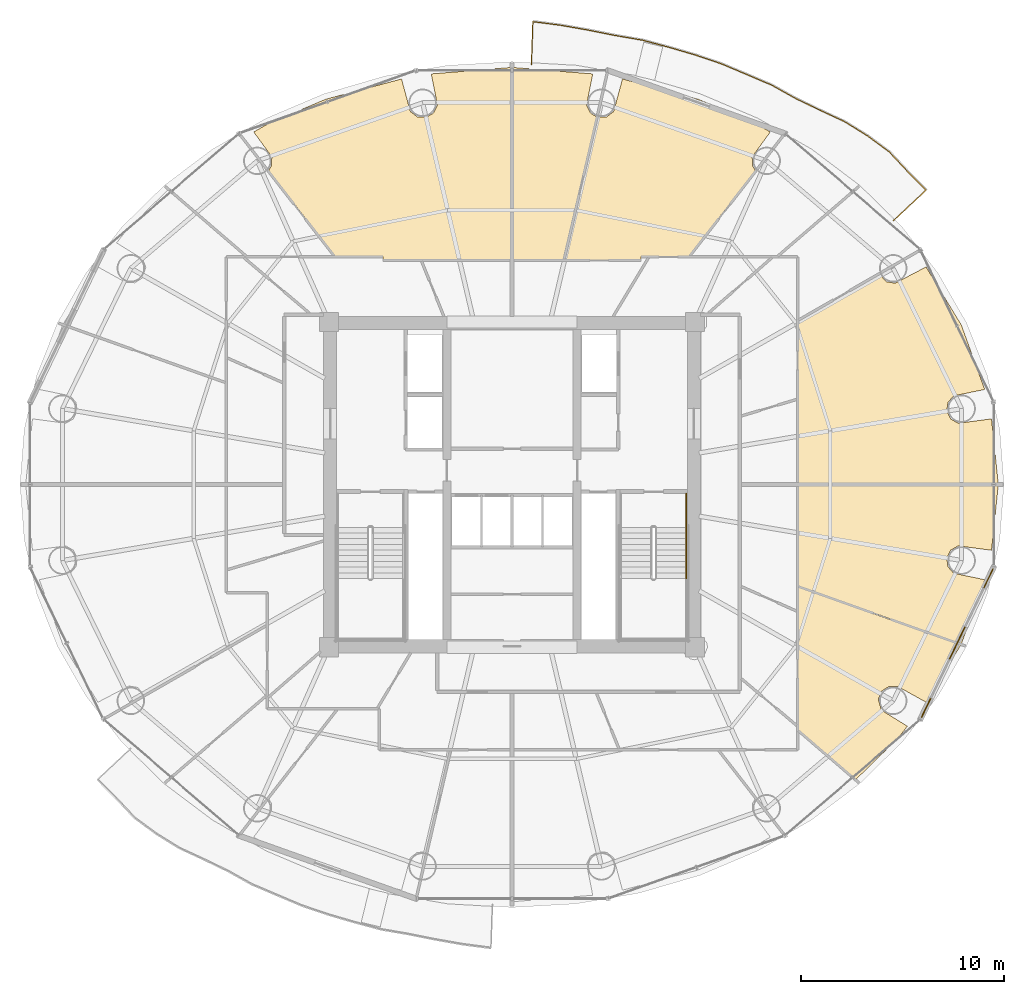
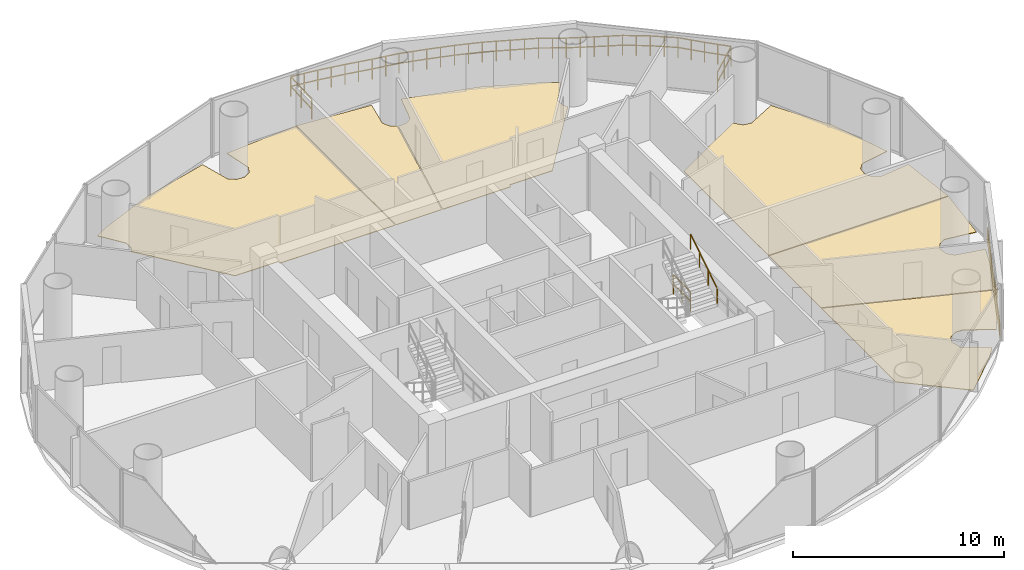
# One storey, part 27 of 27: 7 coverings, 3 railings.
"""IFC4 building model written with IfcOpenShell, lengths in metres."""

from ifc_helpers import new_model, si_unit, direction, frame, origin, origin_2d, place, context, subcontext, project, spatial, polyline, rectangle, outline, extrude, source, transform, mapped, material, layer, layer_set, type_object, element, save


model = new_model("IFC4")

# Units and contexts
model_context = context("Model", 3, precision=1e-05, world=origin(), true_north=direction((-0.2419218956, 0.970295726276)))
body_context = subcontext(model_context, "Body", "Model", "MODEL_VIEW")
ifc_project = project(units=[si_unit("LENGTHUNIT", "METRE"), si_unit("AREAUNIT", "SQUARE_METRE"), si_unit("VOLUMEUNIT", "CUBIC_METRE"), si_unit("PLANEANGLEUNIT", "RADIAN"), si_unit("MASSUNIT", "GRAM", prefix="KILO")], contexts=[model_context])

# Site, building, storey
site_placement = place(None, origin())
site = spatial("IfcSite", under=ifc_project, at=site_placement, CompositionType="ELEMENT")
building_placement = place(site_placement, origin())
building = spatial("IfcBuilding", under=site, at=building_placement, Name="Cobrevalo Terracotta Tower", CompositionType="ELEMENT")
storey_placement = place(building_placement, frame((0.0, 0.0, 157.0)))
storey = spatial("IfcBuildingStorey", under=building, at=storey_placement, Name="L41", CompositionType="ELEMENT", Elevation=157.0)

# Railing
ifc_material_1 = material(Name="Laminated structural glass and stainless steel", Category="steel")
railing_type_1 = type_object("IfcRailingType", Name="Balcony lobe structural glass & terracotta-cap balustrade 1180 mm", PredefinedType="BALUSTRADE", material=ifc_material_1)
railing_1_placement = place(storey_placement, frame((56.7548828125, 39.773681640625, 0.0)))
element("IfcRailing", 1, at=railing_1_placement, inside=storey, type_object=railing_type_1, Name="L41 spiralling balcony lobe balustrade 1", PredefinedType="BALUSTRADE", context=body_context, shape_type="SweptSolid", body=[
    extrude(rectangle(XDim=0.048095703125, YDim=0.048095703125, at=origin_2d()), frame((0.0, 0.0, 1.15576171875), z_axis=(0.730170166778, 0.683265341977, 0.0), x_axis=(-0.683265341977, 0.730170166778, 0.0)), (0.0, 0.0, 1.0), 2.212158203125),
    extrude(rectangle(XDim=0.048095703125, YDim=0.048095703125, at=origin_2d()), frame((0.0, 0.0, 0.58984375), z_axis=(0.730170166778, 0.683265341977, 0.0), x_axis=(-0.683265341977, 0.730170166778, 0.0)), (0.0, 0.0, 1.0), 2.212158203125),
    extrude(rectangle(XDim=0.048095703125, YDim=0.048095703125, at=origin_2d()), frame((1.615234375, 1.511474609375, 1.15576171875), z_axis=(-0.705047169054, 0.70916041162, 0.0), x_axis=(-0.70916041162, -0.705047169054, 0.0)), (0.0, 0.0, 1.0), 1.305908203125),
    extrude(rectangle(XDim=0.048095703125, YDim=0.048095703125, at=origin_2d()), frame((1.615234375, 1.511474609375, 0.58984375), z_axis=(-0.705047169054, 0.70916041162, 0.0), x_axis=(-0.70916041162, -0.705047169054, 0.0)), (0.0, 0.0, 1.0), 1.305908203125),
    extrude(rectangle(XDim=0.048095703125, YDim=0.048095703125, at=origin_2d()), frame((0.694580078125, 2.4375, 1.15576171875), z_axis=(-0.683513075668, 0.729938268205, 0.0), x_axis=(-0.729938268205, -0.683513075668, 0.0)), (0.0, 0.0, 1.0), 1.309326171875),
    extrude(rectangle(XDim=0.048095703125, YDim=0.048095703125, at=origin_2d()), frame((0.694580078125, 2.4375, 0.58984375), z_axis=(-0.683513075668, 0.729938268205, 0.0), x_axis=(-0.729938268205, -0.683513075668, 0.0)), (0.0, 0.0, 1.0), 1.309326171875),
    extrude(rectangle(XDim=0.048095703125, YDim=0.048095703125, at=origin_2d()), frame((-0.200439453125, 3.393310546875, 1.15576171875), z_axis=(-0.804801811823, 0.593543632504, 0.0), x_axis=(-0.593543632504, -0.804801811823, 0.0)), (0.0, 0.0, 1.0), 1.3291015625),
    extrude(rectangle(XDim=0.048095703125, YDim=0.048095703125, at=origin_2d()), frame((-0.200439453125, 3.393310546875, 0.58984375), z_axis=(-0.804801811823, 0.593543632504, 0.0), x_axis=(-0.593543632504, -0.804801811823, 0.0)), (0.0, 0.0, 1.0), 1.3291015625),
    extrude(rectangle(XDim=0.048095703125, YDim=0.048095703125, at=origin_2d()), frame((-1.27001953125, 4.18212890625, 1.15576171875), z_axis=(-0.85012008183, 0.526588878035, 0.0), x_axis=(-0.526588878035, -0.85012008183, 0.0)), (0.0, 0.0, 1.0), 1.327392578125),
    extrude(rectangle(XDim=0.048095703125, YDim=0.048095703125, at=origin_2d()), frame((-1.27001953125, 4.18212890625, 0.58984375), z_axis=(-0.85012008183, 0.526588878035, 0.0), x_axis=(-0.526588878035, -0.85012008183, 0.0)), (0.0, 0.0, 1.0), 1.327392578125),
    extrude(rectangle(XDim=0.048095703125, YDim=0.048095703125, at=origin_2d()), frame((-2.3984375, 4.881103515625, 1.15576171875), z_axis=(-0.907215489445, 0.420666204621, 0.0), x_axis=(-0.420666204621, -0.907215489445, 0.0)), (0.0, 0.0, 1.0), 1.337646484375),
    extrude(rectangle(XDim=0.048095703125, YDim=0.048095703125, at=origin_2d()), frame((-2.3984375, 4.881103515625, 0.58984375), z_axis=(-0.907215489445, 0.420666204621, 0.0), x_axis=(-0.420666204621, -0.907215489445, 0.0)), (0.0, 0.0, 1.0), 1.337646484375),
    extrude(rectangle(XDim=0.048095703125, YDim=0.048095703125, at=origin_2d()), frame((-3.612060546875, 5.44384765625, 1.15576171875), z_axis=(-0.900717435649, 0.434405457054, 0.0), x_axis=(-0.434405457054, -0.900717435649, 0.0)), (0.0, 0.0, 1.0), 1.331298828125),
    extrude(rectangle(XDim=0.048095703125, YDim=0.048095703125, at=origin_2d()), frame((-3.612060546875, 5.44384765625, 0.58984375), z_axis=(-0.900717435649, 0.434405457054, 0.0), x_axis=(-0.434405457054, -0.900717435649, 0.0)), (0.0, 0.0, 1.0), 1.331298828125),
    extrude(rectangle(XDim=0.048095703125, YDim=0.048095703125, at=origin_2d()), frame((-4.811279296875, 6.022216796875, 1.15576171875), z_axis=(-0.872744834386, 0.488176662749, 0.0), x_axis=(-0.488176662749, -0.872744834386, 0.0)), (0.0, 0.0, 1.0), 1.32421875),
    extrude(rectangle(XDim=0.048095703125, YDim=0.048095703125, at=origin_2d()), frame((-4.811279296875, 6.022216796875, 0.58984375), z_axis=(-0.872744834386, 0.488176662749, 0.0), x_axis=(-0.488176662749, -0.872744834386, 0.0)), (0.0, 0.0, 1.0), 1.32421875),
    extrude(rectangle(XDim=0.048095703125, YDim=0.048095703125, at=origin_2d()), frame((-5.967041015625, 6.668701171875, 1.15576171875), z_axis=(-0.920083489206, 0.391722316049, 0.0), x_axis=(-0.391722316049, -0.920083489206, 0.0)), (0.0, 0.0, 1.0), 1.341796875),
    extrude(rectangle(XDim=0.048095703125, YDim=0.048095703125, at=origin_2d()), frame((-5.967041015625, 6.668701171875, 0.58984375), z_axis=(-0.920083489206, 0.391722316049, 0.0), x_axis=(-0.391722316049, -0.920083489206, 0.0)), (0.0, 0.0, 1.0), 1.341796875),
    extrude(rectangle(XDim=0.048095703125, YDim=0.048095703125, at=origin_2d()), frame((-7.20166015625, 7.1943359375, 1.15576171875), z_axis=(-0.9212510115, 0.388968602602, 0.0), x_axis=(-0.388968602602, -0.9212510115, 0.0)), (0.0, 0.0, 1.0), 1.340576171875),
    extrude(rectangle(XDim=0.048095703125, YDim=0.048095703125, at=origin_2d()), frame((-7.20166015625, 7.1943359375, 0.58984375), z_axis=(-0.9212510115, 0.388968602602, 0.0), x_axis=(-0.388968602602, -0.9212510115, 0.0)), (0.0, 0.0, 1.0), 1.340576171875),
    extrude(rectangle(XDim=0.048095703125, YDim=0.048095703125, at=origin_2d()), frame((-8.436767578125, 7.7158203125, 1.15576171875), z_axis=(-0.946579328812, 0.322471044074, 0.0), x_axis=(-0.322471044074, -0.946579328812, 0.0)), (0.0, 0.0, 1.0), 1.34765625),
    extrude(rectangle(XDim=0.048095703125, YDim=0.048095703125, at=origin_2d()), frame((-8.436767578125, 7.7158203125, 0.58984375), z_axis=(-0.946579328812, 0.322471044074, 0.0), x_axis=(-0.322471044074, -0.946579328812, 0.0)), (0.0, 0.0, 1.0), 1.34765625),
    extrude(rectangle(XDim=0.048095703125, YDim=0.048095703125, at=origin_2d()), frame((-9.71240234375, 8.150390625, 1.15576171875), z_axis=(-0.959985870208, 0.280048440455, 0.0), x_axis=(-0.280048440455, -0.959985870208, 0.0)), (0.0, 0.0, 1.0), 1.354736328125),
    extrude(rectangle(XDim=0.048095703125, YDim=0.048095703125, at=origin_2d()), frame((-9.71240234375, 8.150390625, 0.58984375), z_axis=(-0.959985870208, 0.280048440455, 0.0), x_axis=(-0.280048440455, -0.959985870208, 0.0)), (0.0, 0.0, 1.0), 1.354736328125),
    extrude(rectangle(XDim=0.048095703125, YDim=0.048095703125, at=origin_2d()), frame((-11.012939453125, 8.52978515625, 1.15576171875), z_axis=(-0.965549609931, 0.260219043811, 0.0), x_axis=(-0.260219043811, -0.965549609931, 0.0)), (0.0, 0.0, 1.0), 1.354736328125),
    extrude(rectangle(XDim=0.048095703125, YDim=0.048095703125, at=origin_2d()), frame((-11.012939453125, 8.52978515625, 0.58984375), z_axis=(-0.965549609931, 0.260219043811, 0.0), x_axis=(-0.260219043811, -0.965549609931, 0.0)), (0.0, 0.0, 1.0), 1.354736328125),
    extrude(rectangle(XDim=0.048095703125, YDim=0.048095703125, at=origin_2d()), frame((-12.321044921875, 8.88232421875, 1.15576171875), z_axis=(-0.985474576909, 0.169823020426, 0.0), x_axis=(-0.169823020426, -0.985474576909, 0.0)), (0.0, 0.0, 1.0), 1.3642578125),
    extrude(rectangle(XDim=0.048095703125, YDim=0.048095703125, at=origin_2d()), frame((-12.321044921875, 8.88232421875, 0.58984375), z_axis=(-0.985474576909, 0.169823020426, 0.0), x_axis=(-0.169823020426, -0.985474576909, 0.0)), (0.0, 0.0, 1.0), 1.3642578125),
    extrude(rectangle(XDim=0.048095703125, YDim=0.048095703125, at=origin_2d()), frame((-13.66552734375, 9.114013671875, 1.15576171875), z_axis=(-0.98060128731, 0.196013048866, 0.0), x_axis=(-0.196013048866, -0.98060128731, 0.0)), (0.0, 0.0, 1.0), 1.366455078125),
    extrude(rectangle(XDim=0.048095703125, YDim=0.048095703125, at=origin_2d()), frame((-13.66552734375, 9.114013671875, 0.58984375), z_axis=(-0.98060128731, 0.196013048866, 0.0), x_axis=(-0.196013048866, -0.98060128731, 0.0)), (0.0, 0.0, 1.0), 1.366455078125),
    extrude(rectangle(XDim=0.048095703125, YDim=0.048095703125, at=origin_2d()), frame((-15.00537109375, 9.3818359375, 1.15576171875), z_axis=(-0.984965514467, 0.172751079044, 0.0), x_axis=(-0.172751079044, -0.984965514467, 0.0)), (0.0, 0.0, 1.0), 1.373779296875),
    extrude(rectangle(XDim=0.048095703125, YDim=0.048095703125, at=origin_2d()), frame((-15.00537109375, 9.3818359375, 0.58984375), z_axis=(-0.984965514467, 0.172751079044, 0.0), x_axis=(-0.172751079044, -0.984965514467, 0.0)), (0.0, 0.0, 1.0), 1.373779296875),
    extrude(rectangle(XDim=0.048095703125, YDim=0.048095703125, at=origin_2d()), frame((-16.3583984375, 9.619140625, 1.15576171875), z_axis=(-0.991674124322, 0.128772788855, 0.0), x_axis=(-0.128772788855, -0.991674124322, 0.0)), (0.0, 0.0, 1.0), 1.382080078125),
    extrude(rectangle(XDim=0.048095703125, YDim=0.048095703125, at=origin_2d()), frame((-16.3583984375, 9.619140625, 0.58984375), z_axis=(-0.991674124322, 0.128772788855, 0.0), x_axis=(-0.128772788855, -0.991674124322, 0.0)), (0.0, 0.0, 1.0), 1.382080078125),
    extrude(rectangle(XDim=0.048095703125, YDim=0.048095703125, at=origin_2d()), frame((-17.72900390625, 9.797119140625, 1.15576171875), z_axis=(-0.03415231186, -0.999416639643, 0.0), x_axis=(0.999416639643, -0.03415231186, 0.0)), (0.0, 0.0, 1.0), 2.115966796875),
    extrude(rectangle(XDim=0.048095703125, YDim=0.048095703125, at=origin_2d()), frame((-17.72900390625, 9.797119140625, 0.58984375), z_axis=(-0.03415231186, -0.999416639643, 0.0), x_axis=(0.999416639643, -0.03415231186, 0.0)), (0.0, 0.0, 1.0), 2.115966796875),
    extrude(rectangle(XDim=0.0419921875, YDim=0.0419921875, at=origin_2d()), origin(), (0.0, 0.0, 1.0), 1.1318359375),
    extrude(rectangle(XDim=0.0419921875, YDim=0.0419921875, at=origin_2d()), frame((0.8076171875, 0.755859375, 0.0)), (0.0, 0.0, 1.0), 1.1318359375),
    extrude(rectangle(XDim=0.0419921875, YDim=0.0419921875, at=origin_2d()), frame((1.615234375, 1.511474609375, 0.0)), (0.0, 0.0, 1.0), 1.1318359375),
    extrude(rectangle(XDim=0.0419921875, YDim=0.0419921875, at=origin_2d()), frame((1.15478515625, 1.974609375, 0.0)), (0.0, 0.0, 1.0), 1.1318359375),
    extrude(rectangle(XDim=0.0419921875, YDim=0.0419921875, at=origin_2d()), frame((0.694580078125, 2.4375, 0.0)), (0.0, 0.0, 1.0), 1.1318359375),
    extrude(rectangle(XDim=0.0419921875, YDim=0.0419921875, at=origin_2d()), frame((0.2470703125, 2.91552734375, 0.0)), (0.0, 0.0, 1.0), 1.1318359375),
    extrude(rectangle(XDim=0.0419921875, YDim=0.0419921875, at=origin_2d()), frame((-0.200439453125, 3.393310546875, 0.0)), (0.0, 0.0, 1.0), 1.1318359375),
    extrude(rectangle(XDim=0.0419921875, YDim=0.0419921875, at=origin_2d()), frame((-0.7353515625, 3.78759765625, 0.0)), (0.0, 0.0, 1.0), 1.1318359375),
    extrude(rectangle(XDim=0.0419921875, YDim=0.0419921875, at=origin_2d()), frame((-1.27001953125, 4.18212890625, 0.0)), (0.0, 0.0, 1.0), 1.1318359375),
    extrude(rectangle(XDim=0.0419921875, YDim=0.0419921875, at=origin_2d()), frame((-1.834228515625, 4.53173828125, 0.0)), (0.0, 0.0, 1.0), 1.1318359375),
    extrude(rectangle(XDim=0.0419921875, YDim=0.0419921875, at=origin_2d()), frame((-2.3984375, 4.881103515625, 0.0)), (0.0, 0.0, 1.0), 1.1318359375),
    extrude(rectangle(XDim=0.0419921875, YDim=0.0419921875, at=origin_2d()), frame((-3.00537109375, 5.16259765625, 0.0)), (0.0, 0.0, 1.0), 1.1318359375),
    extrude(rectangle(XDim=0.0419921875, YDim=0.0419921875, at=origin_2d()), frame((-3.612060546875, 5.44384765625, 0.0)), (0.0, 0.0, 1.0), 1.1318359375),
    extrude(rectangle(XDim=0.0419921875, YDim=0.0419921875, at=origin_2d()), frame((-4.211669921875, 5.73291015625, 0.0)), (0.0, 0.0, 1.0), 1.1318359375),
    extrude(rectangle(XDim=0.0419921875, YDim=0.0419921875, at=origin_2d()), frame((-4.811279296875, 6.022216796875, 0.0)), (0.0, 0.0, 1.0), 1.1318359375),
    extrude(rectangle(XDim=0.0419921875, YDim=0.0419921875, at=origin_2d()), frame((-5.38916015625, 6.345458984375, 0.0)), (0.0, 0.0, 1.0), 1.1318359375),
    extrude(rectangle(XDim=0.0419921875, YDim=0.0419921875, at=origin_2d()), frame((-5.967041015625, 6.668701171875, 0.0)), (0.0, 0.0, 1.0), 1.1318359375),
    extrude(rectangle(XDim=0.0419921875, YDim=0.0419921875, at=origin_2d()), frame((-6.58447265625, 6.931640625, 0.0)), (0.0, 0.0, 1.0), 1.1318359375),
    extrude(rectangle(XDim=0.0419921875, YDim=0.0419921875, at=origin_2d()), frame((-7.20166015625, 7.1943359375, 0.0)), (0.0, 0.0, 1.0), 1.1318359375),
    extrude(rectangle(XDim=0.0419921875, YDim=0.0419921875, at=origin_2d()), frame((-7.8193359375, 7.455078125, 0.0)), (0.0, 0.0, 1.0), 1.1318359375),
    extrude(rectangle(XDim=0.0419921875, YDim=0.0419921875, at=origin_2d()), frame((-8.436767578125, 7.7158203125, 0.0)), (0.0, 0.0, 1.0), 1.1318359375),
    extrude(rectangle(XDim=0.0419921875, YDim=0.0419921875, at=origin_2d()), frame((-9.07470703125, 7.93310546875, 0.0)), (0.0, 0.0, 1.0), 1.1318359375),
    extrude(rectangle(XDim=0.0419921875, YDim=0.0419921875, at=origin_2d()), frame((-9.71240234375, 8.150390625, 0.0)), (0.0, 0.0, 1.0), 1.1318359375),
    extrude(rectangle(XDim=0.0419921875, YDim=0.0419921875, at=origin_2d()), frame((-10.36279296875, 8.340087890625, 0.0)), (0.0, 0.0, 1.0), 1.1318359375),
    extrude(rectangle(XDim=0.0419921875, YDim=0.0419921875, at=origin_2d()), frame((-11.012939453125, 8.52978515625, 0.0)), (0.0, 0.0, 1.0), 1.1318359375),
    extrude(rectangle(XDim=0.0419921875, YDim=0.0419921875, at=origin_2d()), frame((-11.6669921875, 8.7060546875, 0.0)), (0.0, 0.0, 1.0), 1.1318359375),
    extrude(rectangle(XDim=0.0419921875, YDim=0.0419921875, at=origin_2d()), frame((-12.321044921875, 8.88232421875, 0.0)), (0.0, 0.0, 1.0), 1.1318359375),
    extrude(rectangle(XDim=0.0419921875, YDim=0.0419921875, at=origin_2d()), frame((-12.9931640625, 8.998046875, 0.0)), (0.0, 0.0, 1.0), 1.1318359375),
    extrude(rectangle(XDim=0.0419921875, YDim=0.0419921875, at=origin_2d()), frame((-13.66552734375, 9.114013671875, 0.0)), (0.0, 0.0, 1.0), 1.1318359375),
    extrude(rectangle(XDim=0.0419921875, YDim=0.0419921875, at=origin_2d()), frame((-14.33544921875, 9.248046875, 0.0)), (0.0, 0.0, 1.0), 1.1318359375),
    extrude(rectangle(XDim=0.0419921875, YDim=0.0419921875, at=origin_2d()), frame((-15.00537109375, 9.3818359375, 0.0)), (0.0, 0.0, 1.0), 1.1318359375),
    extrude(rectangle(XDim=0.0419921875, YDim=0.0419921875, at=origin_2d()), frame((-15.681884765625, 9.50048828125, 0.0)), (0.0, 0.0, 1.0), 1.1318359375),
    extrude(rectangle(XDim=0.0419921875, YDim=0.0419921875, at=origin_2d()), frame((-16.3583984375, 9.619140625, 0.0)), (0.0, 0.0, 1.0), 1.1318359375),
    extrude(rectangle(XDim=0.0419921875, YDim=0.0419921875, at=origin_2d()), frame((-17.043701171875, 9.7080078125, 0.0)), (0.0, 0.0, 1.0), 1.1318359375),
    extrude(rectangle(XDim=0.0419921875, YDim=0.0419921875, at=origin_2d()), frame((-17.72900390625, 9.797119140625, 0.0)), (0.0, 0.0, 1.0), 1.1318359375),
    extrude(rectangle(XDim=0.0419921875, YDim=0.0419921875, at=origin_2d()), frame((-17.76513671875, 8.73974609375, 0.0)), (0.0, 0.0, 1.0), 1.1318359375),
    extrude(rectangle(XDim=0.0419921875, YDim=0.0419921875, at=origin_2d()), frame((-17.80126953125, 7.682373046875, 0.0)), (0.0, 0.0, 1.0), 1.1318359375),
])

# Coverings
ifc_material_2 = material(Name="Engineered Brazilian hardwood flooring", Category="wood")
ifc_layer_1 = layer(ifc_material_2, 0.028076171875)
ifc_layer_set_1 = layer_set([ifc_layer_1], Name="Engineered Brazilian hardwood flooring")
covering_type_1 = type_object("IfcCoveringType", Name="Engineered Hardwood Suite Flooring 28", PredefinedType="FLOORING", material=ifc_layer_set_1)
covering_1_placement = place(storey_placement, origin())
element("IfcCovering", 2, at=covering_1_placement, inside=storey, type_object=covering_type_1, Name="Flat L41A Penthouse Living and Dining Room floor finish", PredefinedType="FLOORING", context=body_context, shape_type="SweptSolid", body=[
    extrude(outline(polyline([(60.099609375, 34.651611328125), (61.251708984375, 31.478271484375), (59.7236328125, 31.1630859375), (59.44140625, 30.8388671875), (59.386962890625, 30.41259765625), (59.578369140625, 30.028076171875), (59.951416015625, 29.814697265625), (61.58642578125, 30.03369140625), (61.91845703125, 26.820068359375), (52.06494140625, 26.820068359375), (52.06494140625, 34.8544921875), (56.070068359375, 37.154541015625), (56.417236328125, 36.77783203125), (56.8408203125, 36.70458984375), (58.367431640625, 37.50634765625), (60.099609375, 34.651611328125)])), origin(), (0.0, 0.0, 1.0), 0.030029296875),
])
covering_2_placement = place(storey_placement, origin())
element("IfcCovering", 3, at=covering_2_placement, inside=storey, type_object=covering_type_1, Name="Flat L41A Penthouse Family Lounge floor finish", PredefinedType="FLOORING", context=body_context, shape_type="SweptSolid", body=[
    extrude(outline(polyline([(49.961181640625, 44.5703125), (50.704833984375, 44.143798828125), (49.815673828125, 42.9228515625), (49.824462890625, 42.4931640625), (49.97509765625, 42.236572265625), (46.693115234375, 38.014892578125), (44.3349609375, 38.014892578125), (44.3349609375, 37.85498046875), (40.578857421875, 37.85498046875), (42.203369140625, 44.873779296875), (42.6591796875, 44.88916015625), (43.00048828125, 45.150390625), (43.432861328125, 46.75), (47.15478515625, 45.757568359375), (49.961181640625, 44.5703125)])), origin(), (0.0, 0.0, 1.0), 0.030029296875),
])
covering_3_placement = place(storey_placement, origin())
element("IfcCovering", 4, at=covering_3_placement, inside=storey, type_object=covering_type_1, Name="Flat L41A North Bedroom floor finish", PredefinedType="FLOORING", context=body_context, shape_type="SweptSolid", body=[
    extrude(outline(polyline([(38.02001953125, 47.31884765625), (41.97119140625, 46.99951171875), (41.6689453125, 45.462158203125), (41.858642578125, 45.07666015625), (42.16455078125, 44.8837890625), (40.537841796875, 37.85498046875), (38.02001953125, 37.85498046875), (38.02001953125, 47.31884765625)])), origin(), (0.0, 0.0, 1.0), 0.030029296875),
])
covering_4_placement = place(storey_placement, origin())
element("IfcCovering", 5, at=covering_4_placement, inside=storey, type_object=covering_type_1, Name="Flat L41B Penthouse Living and Dining Room floor finish", PredefinedType="FLOORING", context=body_context, shape_type="SweptSolid", body=[
    extrude(outline(polyline([(28.84521484375, 45.757568359375), (32.567138671875, 46.75), (32.99951171875, 45.150390625), (33.3408203125, 44.88916015625), (33.76953125, 44.861328125), (34.141357421875, 45.07666015625), (34.3310546875, 45.462158203125), (34.02880859375, 46.99951171875), (37.97998046875, 47.31884765625), (37.97998046875, 37.85498046875), (31.6650390625, 37.85498046875), (31.6650390625, 38.014892578125), (29.306884765625, 38.014892578125), (26.02490234375, 42.236572265625), (26.175537109375, 42.4931640625), (26.184326171875, 42.9228515625), (25.295166015625, 44.143798828125), (26.038818359375, 44.5703125), (28.84521484375, 45.757568359375)])), origin(), (0.0, 0.0, 1.0), 0.030029296875),
])
covering_5_placement = place(storey_placement, origin())
element("IfcCovering", 6, at=covering_5_placement, inside=storey, type_object=covering_type_1, Name="Flat L41D Principal Guest Bedroom floor finish", PredefinedType="FLOORING", context=body_context, shape_type="SweptSolid", body=[
    extrude(outline(polyline([(58.367431640625, 16.09375), (56.982177734375, 16.863525390625), (56.552734375, 16.874267578125), (56.189697265625, 16.64453125), (56.01513671875, 16.251953125), (56.165771484375, 15.705810546875), (57.448486328125, 14.91357421875), (56.97802734375, 14.309326171875), (54.9111328125, 12.291015625), (52.06494140625, 14.737548828125), (52.06494140625, 21.771484375), (60.081787109375, 18.917236328125), (58.367431640625, 16.09375)])), origin(), (0.0, 0.0, 1.0), 0.030029296875),
])
covering_6_placement = place(storey_placement, origin())
element("IfcCovering", 7, at=covering_6_placement, inside=storey, type_object=covering_type_1, Name="Flat L41D Penthouse Family Lounge floor finish", PredefinedType="FLOORING", context=body_context, shape_type="SweptSolid", body=[
    extrude(outline(polyline([(52.06494140625, 21.813720703125), (52.06494140625, 26.780029296875), (61.91845703125, 26.780029296875), (61.58642578125, 23.566162109375), (59.951416015625, 23.785400390625), (59.578369140625, 23.572021484375), (59.386962890625, 23.187255859375), (59.44140625, 22.760986328125), (59.7236328125, 22.43701171875), (61.251708984375, 22.121826171875), (60.101318359375, 18.95263671875), (52.06494140625, 21.813720703125)])), origin(), (0.0, 0.0, 1.0), 0.030029296875),
])

# Railings
ifc_material_3 = material(Name="Brushed stainless steel", Category="steel")
railing_type_2 = type_object("IfcRailingType", Name="Stainless Steel Stair Handrail 900", PredefinedType="HANDRAIL", material=ifc_material_3)
railing_2_placement = place(storey_placement, frame((46.574951171875, 22.179931640625, 1.97998046875)))
element("IfcRailing", 8, at=railing_2_placement, inside=storey, type_object=railing_type_2, Name="L41 ST-2 stair handrail 2", PredefinedType="HANDRAIL", context=body_context, shape_type="SweptSolid", body=[
    extrude(rectangle(XDim=0.048095703125, YDim=0.048095703125, at=origin_2d()), frame((0.0, 0.0, 0.8759765625), z_axis=(0.0, 0.841162588446, 0.540782303519), x_axis=(-1.0, 0.0, 0.0)), (0.0, 0.0, 1.0), 2.995849609375),
    extrude(rectangle(XDim=0.0419921875, YDim=0.0419921875, at=origin_2d()), origin(), (0.0, 0.0, 1.0), 0.851806640625),
    extrude(rectangle(XDim=0.0419921875, YDim=0.0419921875, at=origin_2d()), frame((0.0, 0.840087890625, 0.5400390625)), (0.0, 0.0, 1.0), 0.851806640625),
    extrude(rectangle(XDim=0.0419921875, YDim=0.0419921875, at=origin_2d()), frame((0.0, 1.679931640625, 1.080078125)), (0.0, 0.0, 1.0), 0.851806640625),
    extrude(rectangle(XDim=0.0419921875, YDim=0.0419921875, at=origin_2d()), frame((0.0, 2.52001953125, 1.6201171875)), (0.0, 0.0, 1.0), 0.851806640625),
])
ifc_material_4 = material(Name="Painted galvanized steel", Category="steel")
railing_type_3 = type_object("IfcRailingType", Name="Stair Well Guard Balustrade 1150", PredefinedType="GUARDRAIL", material=ifc_material_4)
railing_3_placement = place(storey_placement, frame((46.574951171875, 26.35009765625, 0.0)))
element("IfcRailing", 9, at=railing_3_placement, inside=storey, type_object=railing_type_3, Name="L41 ST-2 stair guard 9", PredefinedType="GUARDRAIL", context=body_context, shape_type="SweptSolid", body=[
    extrude(rectangle(XDim=0.048095703125, YDim=0.048095703125, at=origin_2d()), frame((0.0, 0.0, 1.1259765625), z_axis=(0.0, -1.0, 0.0), x_axis=(1.0, 0.0, 0.0)), (0.0, 0.0, 1.0), 1.650146484375),
    extrude(rectangle(XDim=0.048095703125, YDim=0.048095703125, at=origin_2d()), frame((0.0, 0.0, 0.574951171875), z_axis=(0.0, -1.0, 0.0), x_axis=(1.0, 0.0, 0.0)), (0.0, 0.0, 1.0), 1.650146484375),
    extrude(rectangle(XDim=0.0419921875, YDim=0.0419921875, at=origin_2d()), origin(), (0.0, 0.0, 1.0), 1.101806640625),
    extrude(rectangle(XDim=0.0419921875, YDim=0.0419921875, at=origin_2d()), frame((0.0, -0.8251953125, 0.0)), (0.0, 0.0, 1.0), 1.101806640625),
    extrude(rectangle(XDim=0.0419921875, YDim=0.0419921875, at=origin_2d()), frame((0.0, -1.650146484375, 0.0)), (0.0, 0.0, 1.0), 1.101806640625),
])

# Covering
ifc_material_5 = material(Name="Glazed terracotta facade cladding tile", Category="masonry")
ifc_layer_2 = layer(ifc_material_5, 0.044921875)
ifc_layer_set_2 = layer_set([ifc_layer_2], Name="Glazed terracotta facade cladding tile")
covering_type_2 = type_object("IfcCoveringType", Name="Architectural terracotta rainscreen spandrel cladding 45 mm", PredefinedType="CLADDING", material=ifc_layer_set_2)
shared_shape = source(origin(), body_context, "Body", "SweptSolid", [
    extrude(rectangle(XDim=8.111572265625, YDim=0.044921875, at=origin_2d()), origin(), (0.0, 0.0, 1.0), 0.760009765625),
])
covering_7_placement = place(storey_placement, frame((59.901123046875, 19.00439453125, 0.0400390625), z_axis=(0.0, 0.0, 1.0), x_axis=(0.434209440271, 0.900811945957, 0.0)))
element("IfcCovering", 10, at=covering_7_placement, inside=storey, type_object=covering_type_2, Name="L41 terracotta spandrel cladding S15", PredefinedType="CLADDING", context=body_context, shape_type="MappedRepresentation", body=[
    mapped(shared_shape, transform((0.0, 0.0, 0.0), scale=1.0)),
])

save(model, "model.ifc")
